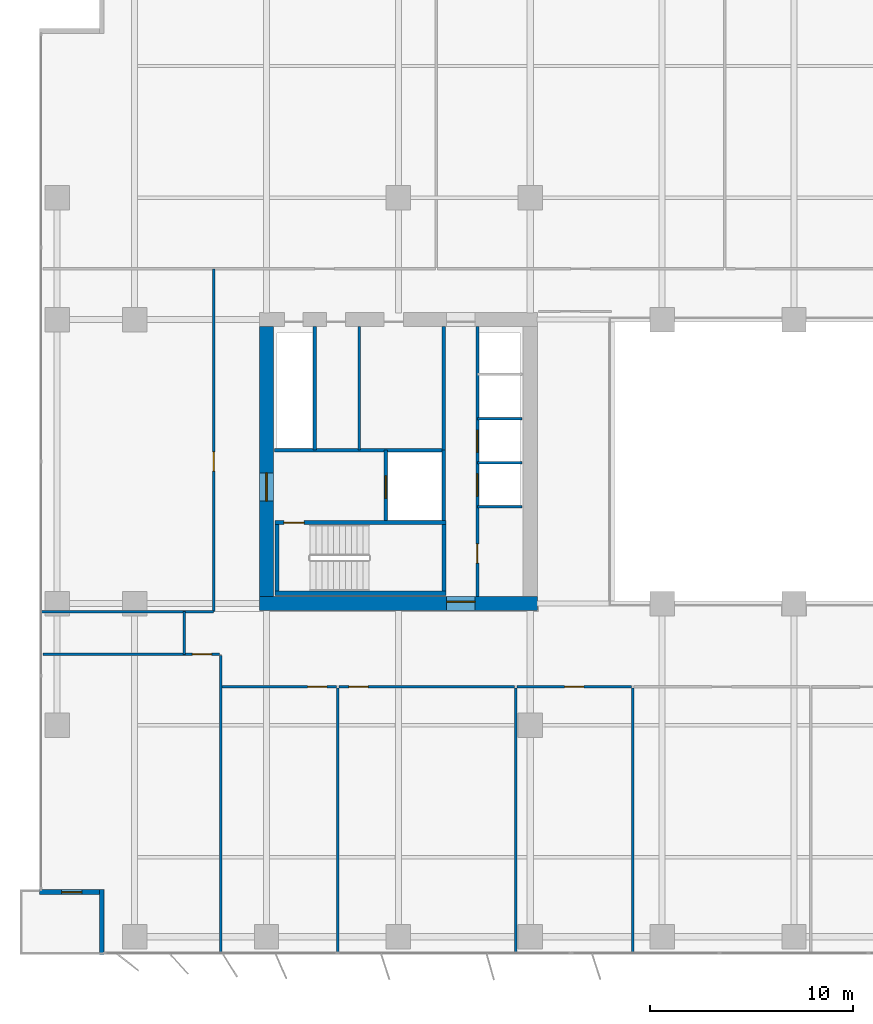
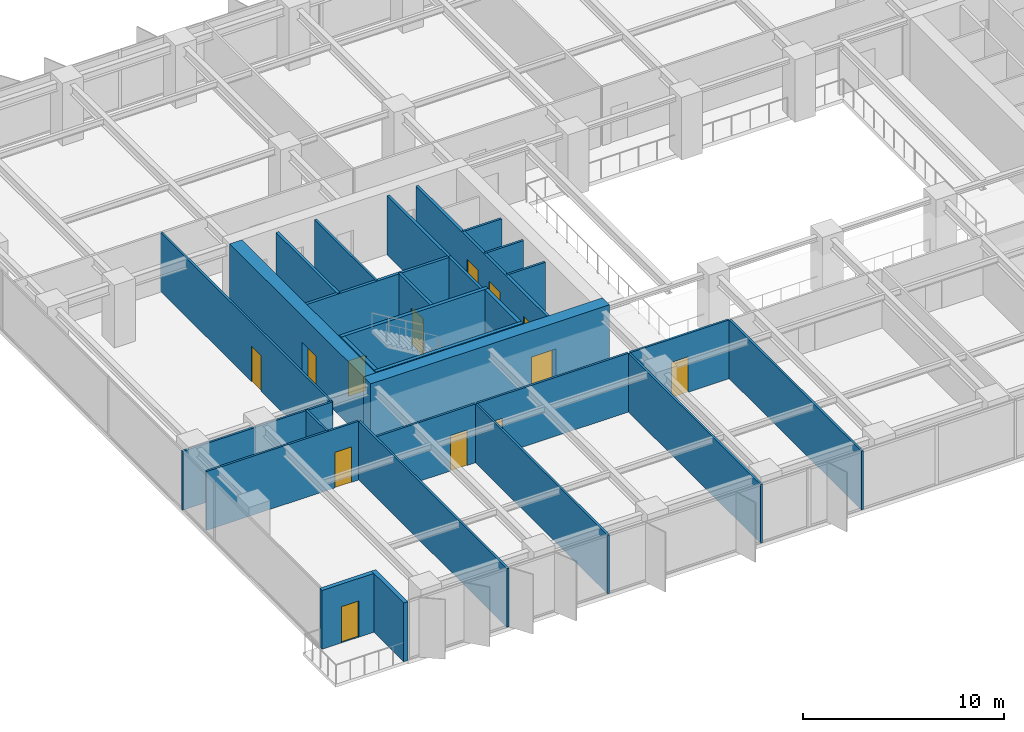
# One storey, part 13 of 20: 29 walls, 13 doors, 13 openings.
"""IFC4 building model written with IfcOpenShell, lengths in metres."""

from ifc_helpers import new_model, si_unit, direction, frame, frame_2d, origin, place, context, subcontext, project, spatial, rectangle, extrude, material, layer, layer_set, type_object, element, fill, save


model = new_model("IFC4")

# Units and contexts
model_context = context("Model", 3, precision=1e-05, world=origin(), true_north=direction((0.0, 1.0)))
body_context = subcontext(model_context, "Body", "Model", "MODEL_VIEW")
ifc_project = project(units=[si_unit("LENGTHUNIT", "METRE"), si_unit("AREAUNIT", "SQUARE_METRE"), si_unit("VOLUMEUNIT", "CUBIC_METRE"), si_unit("PLANEANGLEUNIT", "RADIAN"), si_unit("MASSUNIT", "GRAM", prefix="KILO")], contexts=[model_context])

# Site, building, storey
site_placement = place(None, origin())
site = spatial("IfcSite", under=ifc_project, at=site_placement, CompositionType="ELEMENT")
building_placement = place(site_placement, origin())
building = spatial("IfcBuilding", under=site, at=building_placement, Name="Putna Gate Headquarters", CompositionType="ELEMENT")
storey_placement = place(building_placement, frame((0.0, 0.0, 97.39990234375)))
storey = spatial("IfcBuildingStorey", under=building, at=storey_placement, Name="L23", CompositionType="ELEMENT", Elevation=97.39990234375)

# Wall, opening, door
ifc_material_1 = material(Name="Concrete C60/75", Category="concrete")
ifc_layer_1 = layer(ifc_material_1, 0.699951171875)
ifc_layer_set_1 = layer_set([ifc_layer_1], Name="Concrete C60/75")
wall_type_1 = type_object("IfcWallType", Name="WALL-CORE-700", PredefinedType="SHEAR", material=ifc_layer_set_1)
wall_1_placement = place(storey_placement, frame((12.64990234375, 19.0, 0.0), z_axis=(0.0, 0.0, 1.0), x_axis=(1.0, 0.0, 0.0)))
wall_1 = element("IfcWall", 1, at=wall_1_placement, inside=storey, type_object=wall_type_1, Name="L23 WC Split Core Shear Wall S", PredefinedType="SHEAR", context=body_context, shape_type="SweptSolid", body=[
    extrude(rectangle(XDim=13.7001953125, YDim=0.699951171875, at=frame_2d((6.85009765625, 0.0))), origin(), (0.0, 0.0, 1.0), 3.800048828125),
])
opening_1_placement = place(wall_1_placement, frame((9.22998046875, 0.0, 0.0)))
opening_1 = element("IfcOpeningElement", 2, at=opening_1_placement, cuts=wall_1, Name="Opening FDD-140", PredefinedType="OPENING", context=body_context, shape_type="SweptSolid", body=[
    extrude(rectangle(XDim=1.39990234375, YDim=2.199951171875, at=frame_2d((0.699951171875, 1.10009765625))), frame((0.0, 0.35986328125, 0.0), z_axis=(0.0, -1.0, 0.0), x_axis=(1.0, 0.0, 0.0)), (0.0, 0.0, 1.0), 0.719970703125),
])
ifc_material_2 = material(Name="Double steel fire door", Category="steel")
door_type_1 = type_object("IfcDoorType", Name="DOOR-FIRE-DBL-1400", OperationType="DOUBLE_DOOR_SINGLE_SWING", PredefinedType="DOOR", material=ifc_material_2)
door_1_placement = place(opening_1_placement, origin())
door_1 = element("IfcDoor", 3, at=door_1_placement, inside=storey, type_object=door_type_1, Name="L23 West Lift Lobby South Door", OperationType="DOUBLE_DOOR_SINGLE_SWING", OverallHeight=2.199951171875, OverallWidth=1.39990234375, PredefinedType="DOOR", context=body_context, shape_type="SweptSolid", body=[
    extrude(rectangle(XDim=1.39990234375, YDim=2.199951171875, at=frame_2d((0.699951171875, 1.10009765625))), frame((0.0, 0.125, 0.0), z_axis=(0.0, -1.0, 0.0), x_axis=(1.0, 0.0, 0.0)), (0.0, 0.0, 1.0), 0.050048828125),
])
fill(opening_1, door_1)

wall_2_placement = place(storey_placement, frame((13.0, 19.35009765625, 0.0), z_axis=(0.0, 0.0, 1.0), x_axis=(0.0, 1.0, 0.0)))
wall_2 = element("IfcWall", 4, at=wall_2_placement, inside=storey, type_object=wall_type_1, Name="L23 WC Split Core Shear Wall W", PredefinedType="SHEAR", context=body_context, shape_type="SweptSolid", body=[
    extrude(rectangle(XDim=13.2998046875, YDim=0.699951171875, at=frame_2d((6.64990234375, 0.0))), origin(), (0.0, 0.0, 1.0), 3.800048828125),
])
opening_2_placement = place(wall_2_placement, frame((4.699951171875, 0.0, 0.0)))
opening_2 = element("IfcOpeningElement", 5, at=opening_2_placement, cuts=wall_2, Name="Opening FDD-140", PredefinedType="OPENING", context=body_context, shape_type="SweptSolid", body=[
    extrude(rectangle(XDim=1.39990234375, YDim=2.199951171875, at=frame_2d((0.699951171875, 1.10009765625))), frame((0.0, 0.35986328125, 0.0), z_axis=(0.0, -1.0, 0.0), x_axis=(1.0, 0.0, 0.0)), (0.0, 0.0, 1.0), 0.719970703125),
])
door_2_placement = place(opening_2_placement, origin())
door_2 = element("IfcDoor", 6, at=door_2_placement, inside=storey, type_object=door_type_1, Name="L23 West Firefighting Lobby Door", OperationType="DOUBLE_DOOR_SINGLE_SWING", OverallHeight=2.199951171875, OverallWidth=1.39990234375, PredefinedType="DOOR", context=body_context, shape_type="SweptSolid", body=[
    extrude(rectangle(XDim=1.39990234375, YDim=2.199951171875, at=frame_2d((0.699951171875, 1.10009765625))), frame((0.0, 0.02490234375, 0.0), z_axis=(0.0, -1.0, 0.0), x_axis=(1.0, 0.0, 0.0)), (0.0, 0.0, 1.0), 0.050048828125),
])
fill(opening_2, door_2)

# Wall
ifc_material_3 = material(Name="Precast concrete C40/50", Category="concrete")
ifc_layer_2 = layer(ifc_material_3, 0.239990234375)
ifc_layer_set_2 = layer_set([ifc_layer_2], Name="Precast concrete C40/50")
wall_type_2 = type_object("IfcWallType", Name="WALL-EXT-TERR-240", PredefinedType="STANDARD", material=ifc_layer_set_2)
wall_3_placement = place(storey_placement, frame((4.8798828125, 1.699951171875, 0.0), z_axis=(0.0, 0.0, 1.0), x_axis=(0.0, 1.0, 0.0)))
element("IfcWall", 7, at=wall_3_placement, inside=storey, type_object=wall_type_2, Name="L23 Corner Notch Return Wall SW-V", PredefinedType="STANDARD", context=body_context, shape_type="SweptSolid", body=[
    extrude(rectangle(XDim=3.199951171875, YDim=0.239990234375, at=frame_2d((1.60009765625, 0.0))), origin(), (0.0, 0.0, 1.0), 3.565185546875),
])

# Wall, opening, door
wall_4_placement = place(storey_placement, frame((5.0, 4.780029296875, 0.0), z_axis=(0.0, 0.0, 1.0), x_axis=(-1.0, 0.0, 0.0)))
wall_4 = element("IfcWall", 8, at=wall_4_placement, inside=storey, type_object=wall_type_2, Name="L23 Corner Notch Return Wall SW-H", PredefinedType="STANDARD", context=body_context, shape_type="SweptSolid", body=[
    extrude(rectangle(XDim=3.199951171875, YDim=0.239990234375, at=frame_2d((1.60009765625, 0.0))), origin(), (0.0, 0.0, 1.0), 3.565185546875),
])
opening_3_placement = place(wall_4_placement, frame((1.10009765625, 0.0, 0.0)))
opening_3 = element("IfcOpeningElement", 9, at=opening_3_placement, cuts=wall_4, Name="Opening TRD-1", PredefinedType="OPENING", context=body_context, shape_type="SweptSolid", body=[
    extrude(rectangle(XDim=1.0, YDim=2.199951171875, at=frame_2d((0.5, 1.10009765625))), frame((0.0, 0.1298828125, 0.0), z_axis=(0.0, -1.0, 0.0), x_axis=(1.0, 0.0, 0.0)), (0.0, 0.0, 1.0), 0.260009765625),
])
ifc_material_4 = material(Name="Thermally broken bronze glazed terrace door")
door_type_2 = type_object("IfcDoorType", Name="DOOR-TERR-EXT-1000", OperationType="NOTDEFINED", PredefinedType="DOOR", material=ifc_material_4)
door_3_placement = place(opening_3_placement, origin())
door_3 = element("IfcDoor", 10, at=door_3_placement, inside=storey, type_object=door_type_2, Name="L23 Spiral Sky Terrace Door SW", OperationType="SINGLE_SWING_LEFT", OverallHeight=2.199951171875, OverallWidth=1.0, PredefinedType="DOOR", context=body_context, shape_type="SweptSolid", body=[
    extrude(rectangle(XDim=1.0, YDim=2.199951171875, at=frame_2d((0.5, 1.10009765625))), frame((0.0, 0.02490234375, 0.0), z_axis=(0.0, -1.0, 0.0), x_axis=(1.0, 0.0, 0.0)), (0.0, 0.0, 1.0), 0.050048828125),
])
fill(opening_3, door_3)

# Walls
ifc_material_5 = material(Name="Acoustic gypsum board on metal stud")
ifc_layer_3 = layer(ifc_material_5, 0.1201171875)
ifc_layer_set_3 = layer_set([ifc_layer_3], Name="Acoustic gypsum board on metal stud")
wall_type_3 = type_object("IfcWallType", Name="WALL-PART-120", PredefinedType="PARTITIONING", material=ifc_layer_set_3)
wall_5_placement = place(storey_placement, frame((10.746826171875, 1.719970703125, 0.0), z_axis=(0.0, 0.0, 1.0), x_axis=(0.0, 1.0, 0.0)))
element("IfcWall", 11, at=wall_5_placement, inside=storey, type_object=wall_type_3, Name="L23 Interior Wall PART-L23-SB-DIV-01", PredefinedType="PARTITIONING", context=body_context, shape_type="SweptSolid", body=[
    extrude(rectangle(XDim=14.719970703125, YDim=0.1201171875, at=frame_2d((7.35986328125, 0.0))), origin(), (0.0, 0.0, 1.0), 3.565185546875),
])
for number, where, z_axis, x_axis, name in (
    (12, (16.52001953125, 1.719970703125, 0.0), (0.0, 0.0, 1.0), (0.0, 1.0, 0.0), "L23 Interior Wall PART-L23-SB-DIV-02"),
    (13, (25.286865234375, 1.719970703125, 0.0), (0.0, 0.0, 1.0), (0.0, 1.0, 0.0), "L23 Interior Wall PART-L23-SB-DIV-03"),
    (14, (31.06005859375, 1.719970703125, 0.0), (0.0, 0.0, 1.0), (0.0, 1.0, 0.0), "L23 Interior Wall PART-L23-SB-DIV-04"),
):
    element("IfcWall", number, at=place(storey_placement, frame(where, z_axis=z_axis, x_axis=x_axis)), inside=storey, type_object=wall_type_3, Name=name, PredefinedType="PARTITIONING", context=body_context, shape_type="SweptSolid", body=[
        extrude(rectangle(XDim=13.1201171875, YDim=0.1201171875, at=frame_2d((6.56005859375, 0.0))), origin(), (0.0, 0.0, 1.0), 3.565185546875),
    ])
ifc_material_6 = material(Name="Fire-rated shaftwall gypsum board on metal stud")
ifc_layer_4 = layer(ifc_material_6, 0.1201171875)
ifc_layer_set_4 = layer_set([ifc_layer_4], Name="Fire-rated shaftwall gypsum board on metal stud")
wall_type_4 = type_object("IfcWallType", Name="WALL-PART-120-EI120", PredefinedType="PARTITIONING", material=ifc_layer_set_4)
for number, where, z_axis, x_axis, name in (
    (15, (23.39990234375, 25.949951171875, 0.0), (0.0, 0.0, 1.0), (1.0, 0.0, 0.0), "L23 Interior Wall CWINT-L23-WC-LF05-DIV"),
    (16, (23.39990234375, 28.1201171875, 0.0), (0.0, 0.0, 1.0), (1.0, 0.0, 0.0), "L23 Interior Wall CWINT-L23-WC-LF06-DIV"),
):
    element("IfcWall", number, at=place(storey_placement, frame(where, z_axis=z_axis, x_axis=x_axis)), inside=storey, type_object=wall_type_4, Name=name, PredefinedType="PARTITIONING", context=body_context, shape_type="SweptSolid", body=[
        extrude(rectangle(XDim=2.2001953125, YDim=0.1201171875, at=frame_2d((1.10009765625, 0.0))), origin(), (0.0, 0.0, 1.0), 3.565185546875),
    ])
ifc_material_7 = material(Name="Fire-rated gypsum board on metal stud")
ifc_layer_5 = layer(ifc_material_7, 0.1201171875)
ifc_layer_set_5 = layer_set([ifc_layer_5], Name="Fire-rated gypsum board on metal stud")
wall_type_5 = type_object("IfcWallType", Name="WALL-PART-120-RATED", PredefinedType="PARTITIONING", material=ifc_layer_set_5)
wall_6_placement = place(storey_placement, frame((17.570068359375, 26.56005859375, 0.0), z_axis=(0.0, 0.0, 1.0), x_axis=(0.0, 1.0, 0.0)))
element("IfcWall", 17, at=wall_6_placement, inside=storey, type_object=wall_type_5, Name="L23 Interior Wall CWINT-L23-WC-K1-DIV", PredefinedType="PARTITIONING", context=body_context, shape_type="SweptSolid", body=[
    extrude(rectangle(XDim=6.08984375, YDim=0.1201171875, at=frame_2d((3.044921875, 0.0))), origin(), (0.0, 0.0, 1.0), 3.565185546875),
])
wall_7_placement = place(storey_placement, frame((23.39990234375, 23.780029296875, 0.0), z_axis=(0.0, 0.0, 1.0), x_axis=(1.0, 0.0, 0.0)))
element("IfcWall", 18, at=wall_7_placement, inside=storey, type_object=wall_type_5, Name="L23 Interior Wall CWINT-L23-WC-LF02-DIV", PredefinedType="PARTITIONING", context=body_context, shape_type="SweptSolid", body=[
    extrude(rectangle(XDim=2.2001953125, YDim=0.1201171875, at=frame_2d((1.10009765625, 0.0))), origin(), (0.0, 0.0, 1.0), 3.565185546875),
])
wall_8_placement = place(storey_placement, frame((8.94677734375, 16.5, 0.0), z_axis=(0.0, 0.0, 1.0), x_axis=(0.0, 1.0, 0.0)))
element("IfcWall", 19, at=wall_8_placement, inside=storey, type_object=wall_type_5, Name="L23 Interior Wall PART-L23-CORRS-CAPW", PredefinedType="PARTITIONING", context=body_context, shape_type="SweptSolid", body=[
    extrude(rectangle(XDim=2.10009765625, YDim=0.1201171875, at=frame_2d((1.050048828125, 0.0))), origin(), (0.0, 0.0, 1.0), 3.565185546875),
])

# Wall, opening, door
wall_9_placement = place(storey_placement, frame((1.97998046875, 16.5, 0.0), z_axis=(0.0, 0.0, 1.0), x_axis=(1.0, 0.0, 0.0)))
wall_9 = element("IfcWall", 20, at=wall_9_placement, inside=storey, type_object=wall_type_5, Name="L23 Interior Wall PART-L23-SB-CW-01", PredefinedType="PARTITIONING", context=body_context, shape_type="SweptSolid", body=[
    extrude(rectangle(XDim=8.706787109375, YDim=0.1201171875, at=frame_2d((4.353515625, 0.0))), origin(), (0.0, 0.0, 1.0), 3.565185546875),
])
opening_4_placement = place(wall_9_placement, frame((7.36181640625, 0.0, 0.0)))
opening_4 = element("IfcOpeningElement", 21, at=opening_4_placement, cuts=wall_9, Name="Opening FD-95", PredefinedType="OPENING", context=body_context, shape_type="SweptSolid", body=[
    extrude(rectangle(XDim=0.949951171875, YDim=2.14990234375, at=frame_2d((0.47509765625, 1.074951171875))), frame((0.0, 0.070068359375, 0.0), z_axis=(0.0, -1.0, 0.0), x_axis=(1.0, 0.0, 0.0)), (0.0, 0.0, 1.0), 0.14013671875),
])
ifc_material_8 = material(Name="Acoustic timber fire door", Category="wood")
door_type_3 = type_object("IfcDoorType", Name="DOOR-FIRE-950", OperationType="NOTDEFINED", PredefinedType="DOOR", material=ifc_material_8)
door_4_placement = place(opening_4_placement, origin())
door_4 = element("IfcDoor", 22, at=door_4_placement, inside=storey, type_object=door_type_3, Name="L23 Quiet Wellness Focus Studio 2 Door", OperationType="SINGLE_SWING_LEFT", OverallHeight=2.14990234375, OverallWidth=0.949951171875, PredefinedType="DOOR", context=body_context, shape_type="SweptSolid", body=[
    extrude(rectangle(XDim=0.949951171875, YDim=2.14990234375, at=frame_2d((0.47509765625, 1.074951171875))), frame((0.0, 0.02490234375, 0.0), z_axis=(0.0, -1.0, 0.0), x_axis=(1.0, 0.0, 0.0)), (0.0, 0.0, 1.0), 0.050048828125),
])
fill(opening_4, door_4)

wall_10_placement = place(storey_placement, frame((10.806884765625, 14.89990234375, 0.0), z_axis=(0.0, 0.0, 1.0), x_axis=(1.0, 0.0, 0.0)))
wall_10 = element("IfcWall", 23, at=wall_10_placement, inside=storey, type_object=wall_type_5, Name="L23 Interior Wall PART-L23-SB-CW-02", PredefinedType="PARTITIONING", context=body_context, shape_type="SweptSolid", body=[
    extrude(rectangle(XDim=5.653076171875, YDim=0.1201171875, at=frame_2d((2.82666015625, 0.0))), origin(), (0.0, 0.0, 1.0), 3.565185546875),
])
opening_5_placement = place(wall_10_placement, frame((4.22314453125, 0.0, 0.0)))
opening_5 = element("IfcOpeningElement", 24, at=opening_5_placement, cuts=wall_10, Name="Opening FD-95", PredefinedType="OPENING", context=body_context, shape_type="SweptSolid", body=[
    extrude(rectangle(XDim=0.949951171875, YDim=2.14990234375, at=frame_2d((0.47509765625, 1.074951171875))), frame((0.0, 0.070068359375, 0.0), z_axis=(0.0, -1.0, 0.0), x_axis=(1.0, 0.0, 0.0)), (0.0, 0.0, 1.0), 0.14013671875),
])
door_5_placement = place(opening_5_placement, origin())
door_5 = element("IfcDoor", 25, at=door_5_placement, inside=storey, type_object=door_type_3, Name="L23 Cellular Office 3 Door", OperationType="SINGLE_SWING_RIGHT", OverallHeight=2.14990234375, OverallWidth=0.949951171875, PredefinedType="DOOR", context=body_context, shape_type="SweptSolid", body=[
    extrude(rectangle(XDim=0.949951171875, YDim=2.14990234375, at=frame_2d((0.47509765625, 1.074951171875))), frame((0.0, 0.02490234375, 0.0), z_axis=(0.0, -1.0, 0.0), x_axis=(1.0, 0.0, 0.0)), (0.0, 0.0, 1.0), 0.050048828125),
])
fill(opening_5, door_5)

wall_11_placement = place(storey_placement, frame((16.580078125, 14.89990234375, 0.0), z_axis=(0.0, 0.0, 1.0), x_axis=(1.0, 0.0, 0.0)))
wall_11 = element("IfcWall", 26, at=wall_11_placement, inside=storey, type_object=wall_type_5, Name="L23 Interior Wall PART-L23-SB-CW-03", PredefinedType="PARTITIONING", context=body_context, shape_type="SweptSolid", body=[
    extrude(rectangle(XDim=8.646728515625, YDim=0.1201171875, at=frame_2d((4.3232421875, 0.0))), origin(), (0.0, 0.0, 1.0), 3.565185546875),
])
opening_6_placement = place(wall_11_placement, frame((0.47998046875, 0.0, 0.0)))
opening_6 = element("IfcOpeningElement", 27, at=opening_6_placement, cuts=wall_11, Name="Opening FD-95", PredefinedType="OPENING", context=body_context, shape_type="SweptSolid", body=[
    extrude(rectangle(XDim=0.949951171875, YDim=2.14990234375, at=frame_2d((0.47509765625, 1.074951171875))), frame((0.0, 0.070068359375, 0.0), z_axis=(0.0, -1.0, 0.0), x_axis=(1.0, 0.0, 0.0)), (0.0, 0.0, 1.0), 0.14013671875),
])
door_6_placement = place(opening_6_placement, origin())
door_6 = element("IfcDoor", 28, at=door_6_placement, inside=storey, type_object=door_type_3, Name="L23 Conference Meeting Room 1 Door", OperationType="SINGLE_SWING_LEFT", OverallHeight=2.14990234375, OverallWidth=0.949951171875, PredefinedType="DOOR", context=body_context, shape_type="SweptSolid", body=[
    extrude(rectangle(XDim=0.949951171875, YDim=2.14990234375, at=frame_2d((0.47509765625, 1.074951171875))), frame((0.0, 0.02490234375, 0.0), z_axis=(0.0, -1.0, 0.0), x_axis=(1.0, 0.0, 0.0)), (0.0, 0.0, 1.0), 0.050048828125),
])
fill(opening_6, door_6)

wall_12_placement = place(storey_placement, frame((25.3466796875, 14.89990234375, 0.0), z_axis=(0.0, 0.0, 1.0), x_axis=(1.0, 0.0, 0.0)))
wall_12 = element("IfcWall", 29, at=wall_12_placement, inside=storey, type_object=wall_type_5, Name="L23 Interior Wall PART-L23-SB-CW-04", PredefinedType="PARTITIONING", context=body_context, shape_type="SweptSolid", body=[
    extrude(rectangle(XDim=5.6533203125, YDim=0.1201171875, at=frame_2d((2.82666015625, 0.0))), origin(), (0.0, 0.0, 1.0), 3.565185546875),
])
opening_7_placement = place(wall_12_placement, frame((2.3515625, 0.0, 0.0)))
opening_7 = element("IfcOpeningElement", 30, at=opening_7_placement, cuts=wall_12, Name="Opening FD-95", PredefinedType="OPENING", context=body_context, shape_type="SweptSolid", body=[
    extrude(rectangle(XDim=0.949951171875, YDim=2.14990234375, at=frame_2d((0.47509765625, 1.074951171875))), frame((0.0, 0.070068359375, 0.0), z_axis=(0.0, -1.0, 0.0), x_axis=(1.0, 0.0, 0.0)), (0.0, 0.0, 1.0), 0.14013671875),
])
door_7_placement = place(opening_7_placement, origin())
door_7 = element("IfcDoor", 31, at=door_7_placement, inside=storey, type_object=door_type_3, Name="L23 Conference Meeting Room 2 Door", OperationType="SINGLE_SWING_RIGHT", OverallHeight=2.14990234375, OverallWidth=0.949951171875, PredefinedType="DOOR", context=body_context, shape_type="SweptSolid", body=[
    extrude(rectangle(XDim=0.949951171875, YDim=2.14990234375, at=frame_2d((0.47509765625, 1.074951171875))), frame((0.0, 0.02490234375, 0.0), z_axis=(0.0, -1.0, 0.0), x_axis=(1.0, 0.0, 0.0)), (0.0, 0.0, 1.0), 0.050048828125),
])
fill(opening_7, door_7)

# Wall
wall_13_placement = place(storey_placement, frame((1.820068359375, 18.60009765625, 0.0), z_axis=(0.0, 0.0, 1.0), x_axis=(1.0, 0.0, 0.0)))
element("IfcWall", 32, at=wall_13_placement, inside=storey, type_object=wall_type_5, Name="L23 Interior Wall PART-L23-WW-S-BOUND", PredefinedType="PARTITIONING", context=body_context, shape_type="SweptSolid", body=[
    extrude(rectangle(XDim=8.579833984375, YDim=0.1201171875, at=frame_2d((4.2900390625, 0.0))), origin(), (0.0, 0.0, 1.0), 3.565185546875),
])

# Wall, opening, door
wall_14_placement = place(storey_placement, frame((10.39990234375, 18.60009765625, 0.0), z_axis=(0.0, 0.0, 1.0), x_axis=(0.0, 1.0, 0.0)))
wall_14 = element("IfcWall", 33, at=wall_14_placement, inside=storey, type_object=wall_type_5, Name="L23 Interior Wall PART-L23-WW-CW-1", PredefinedType="PARTITIONING", context=body_context, shape_type="SweptSolid", body=[
    extrude(rectangle(XDim=16.89990234375, YDim=0.1201171875, at=frame_2d((8.449951171875, 0.0))), origin(), (0.0, 0.0, 1.0), 3.565185546875),
])
opening_8_placement = place(wall_14_placement, frame((6.925048828125, 0.0, 0.0)))
opening_8 = element("IfcOpeningElement", 34, at=opening_8_placement, cuts=wall_14, Name="Opening FD-95", PredefinedType="OPENING", context=body_context, shape_type="SweptSolid", body=[
    extrude(rectangle(XDim=0.949951171875, YDim=2.14990234375, at=frame_2d((0.47509765625, 1.074951171875))), frame((0.0, 0.070068359375, 0.0), z_axis=(0.0, -1.0, 0.0), x_axis=(1.0, 0.0, 0.0)), (0.0, 0.0, 1.0), 0.14013671875),
])
door_8_placement = place(opening_8_placement, origin())
door_8 = element("IfcDoor", 35, at=door_8_placement, inside=storey, type_object=door_type_3, Name="L23 West Project Meeting Room 1 Door", OperationType="SINGLE_SWING_LEFT", OverallHeight=2.14990234375, OverallWidth=0.949951171875, PredefinedType="DOOR", context=body_context, shape_type="SweptSolid", body=[
    extrude(rectangle(XDim=0.949951171875, YDim=2.14990234375, at=frame_2d((0.47509765625, 1.074951171875))), frame((0.0, 0.02490234375, 0.0), z_axis=(0.0, -1.0, 0.0), x_axis=(1.0, 0.0, 0.0)), (0.0, 0.0, 1.0), 0.050048828125),
])
fill(opening_8, door_8)

# Wall
ifc_material_9 = material(Name="Concrete C40/50", Category="concrete")
ifc_layer_6 = layer(ifc_material_9, 0.159912109375)
ifc_layer_set_6 = layer_set([ifc_layer_6], Name="Concrete C40/50")
wall_type_6 = type_object("IfcWallType", Name="WALL-SHAFT-160", PredefinedType="STANDARD", material=ifc_layer_set_6)
wall_15_placement = place(storey_placement, frame((21.739990234375, 23.090087890625, 0.0), z_axis=(0.0, 0.0, 1.0), x_axis=(0.0, 1.0, 0.0)))
element("IfcWall", 36, at=wall_15_placement, inside=storey, type_object=wall_type_6, Name="L23 Interior Wall CWINT-L23-WC-FFL-E", PredefinedType="STANDARD", context=body_context, shape_type="SweptSolid", body=[
    extrude(rectangle(XDim=3.469970703125, YDim=0.159912109375, at=frame_2d((1.73486328125, 0.0))), origin(), (0.0, 0.0, 1.0), 3.565185546875),
])

# Wall, opening, door
wall_16_placement = place(storey_placement, frame((18.8798828125, 23.090087890625, 0.0), z_axis=(0.0, 0.0, 1.0), x_axis=(0.0, 1.0, 0.0)))
wall_16 = element("IfcWall", 37, at=wall_16_placement, inside=storey, type_object=wall_type_6, Name="L23 Interior Wall CWINT-L23-WC-LF13-W", PredefinedType="STANDARD", context=body_context, shape_type="SweptSolid", body=[
    extrude(rectangle(XDim=3.469970703125, YDim=0.159912109375, at=frame_2d((1.73486328125, 0.0))), origin(), (0.0, 0.0, 1.0), 3.565185546875),
])
opening_9_placement = place(wall_16_placement, frame((1.10009765625, 0.0, 0.0)))
opening_9 = element("IfcOpeningElement", 38, at=opening_9_placement, cuts=wall_16, Name="Opening LD-1", PredefinedType="OPENING", context=body_context, shape_type="SweptSolid", body=[
    extrude(rectangle(XDim=1.10009765625, YDim=2.199951171875, at=frame_2d((0.550048828125, 1.10009765625))), frame((0.0, 0.08984375, 0.0), z_axis=(0.0, -1.0, 0.0), x_axis=(1.0, 0.0, 0.0)), (0.0, 0.0, 1.0), 0.179931640625),
])
ifc_material_10 = material(Name="Brushed bronze stainless lift landing door")
door_type_4 = type_object("IfcDoorType", Name="DOOR-LIFT-1100", OperationType="DOUBLE_DOOR_SLIDING", PredefinedType="DOOR", material=ifc_material_10)
door_9_placement = place(opening_9_placement, origin())
door_9 = element("IfcDoor", 39, at=door_9_placement, inside=storey, type_object=door_type_4, Name="L23 Lift Landing Door LD-13", OperationType="DOUBLE_DOOR_SLIDING", OverallHeight=2.199951171875, OverallWidth=1.10009765625, PredefinedType="DOOR", context=body_context, shape_type="SweptSolid", body=[
    extrude(rectangle(XDim=1.10009765625, YDim=2.199951171875, at=frame_2d((0.550048828125, 1.10009765625))), frame((0.0, 0.02490234375, 0.0), z_axis=(0.0, -1.0, 0.0), x_axis=(1.0, 0.0, 0.0)), (0.0, 0.0, 1.0), 0.050048828125),
])
fill(opening_9, door_9)

# Walls
wall_17_placement = place(storey_placement, frame((13.39990234375, 26.56005859375, 0.0), z_axis=(0.0, 0.0, 1.0), x_axis=(1.0, 0.0, 0.0)))
element("IfcWall", 40, at=wall_17_placement, inside=storey, type_object=wall_type_6, Name="L23 Interior Wall CWINT-L23-WC-FFL-N", PredefinedType="STANDARD", context=body_context, shape_type="SweptSolid", body=[
    extrude(rectangle(XDim=8.340087890625, YDim=0.159912109375, at=frame_2d((4.169921875, 0.0))), origin(), (0.0, 0.0, 1.0), 3.565185546875),
])
for number, where, z_axis, x_axis, name in (
    (41, (15.3798828125, 26.56005859375, 0.0), (0.0, 0.0, 1.0), (0.0, 1.0, 0.0), "L23 Interior Wall CWINT-L23-WC-RISER-E"),
    (42, (21.739990234375, 26.56005859375, 0.0), (0.0, 0.0, 1.0), (0.0, 1.0, 0.0), "L23 Interior Wall CWINT-L23-WC-LOB-W"),
):
    element("IfcWall", number, at=place(storey_placement, frame(where, z_axis=z_axis, x_axis=x_axis)), inside=storey, type_object=wall_type_6, Name=name, PredefinedType="STANDARD", context=body_context, shape_type="SweptSolid", body=[
        extrude(rectangle(XDim=6.08984375, YDim=0.159912109375, at=frame_2d((3.044921875, 0.0))), origin(), (0.0, 0.0, 1.0), 3.565185546875),
    ])

# Wall, openings, doors
wall_18_placement = place(storey_placement, frame((23.39990234375, 19.35009765625, 0.0), z_axis=(0.0, 0.0, 1.0), x_axis=(0.0, 1.0, 0.0)))
wall_18 = element("IfcWall", 43, at=wall_18_placement, inside=storey, type_object=wall_type_6, Name="L23 Interior Wall CWINT-L23-WC-PL-WALL", PredefinedType="STANDARD", context=body_context, shape_type="SweptSolid", body=[
    extrude(rectangle(XDim=13.2998046875, YDim=0.159912109375, at=frame_2d((6.64990234375, 0.0))), origin(), (0.0, 0.0, 1.0), 3.565185546875),
])
opening_10_placement = place(wall_18_placement, frame((1.64990234375, 0.0, 0.0)))
opening_10 = element("IfcOpeningElement", 44, at=opening_10_placement, cuts=wall_18, Name="Opening IDS-95", PredefinedType="OPENING", context=body_context, shape_type="SweptSolid", body=[
    extrude(rectangle(XDim=0.949951171875, YDim=2.14990234375, at=frame_2d((0.47509765625, 1.074951171875))), frame((0.0, 0.08984375, 0.0), z_axis=(0.0, -1.0, 0.0), x_axis=(1.0, 0.0, 0.0)), (0.0, 0.0, 1.0), 0.179931640625),
])
opening_11_placement = place(wall_18_placement, frame((4.949951171875, 0.0, 0.0)))
opening_11 = element("IfcOpeningElement", 45, at=opening_11_placement, cuts=wall_18, Name="Opening LD-1", PredefinedType="OPENING", context=body_context, shape_type="SweptSolid", body=[
    extrude(rectangle(XDim=1.10009765625, YDim=2.199951171875, at=frame_2d((0.550048828125, 1.10009765625))), frame((0.0, 0.08984375, 0.0), z_axis=(0.0, -1.0, 0.0), x_axis=(1.0, 0.0, 0.0)), (0.0, 0.0, 1.0), 0.179931640625),
])
opening_12_placement = place(wall_18_placement, frame((7.10009765625, 0.0, 0.0)))
opening_12 = element("IfcOpeningElement", 46, at=opening_12_placement, cuts=wall_18, Name="Opening LD-1", PredefinedType="OPENING", context=body_context, shape_type="SweptSolid", body=[
    extrude(rectangle(XDim=1.10009765625, YDim=2.199951171875, at=frame_2d((0.550048828125, 1.10009765625))), frame((0.0, 0.08984375, 0.0), z_axis=(0.0, -1.0, 0.0), x_axis=(1.0, 0.0, 0.0)), (0.0, 0.0, 1.0), 0.179931640625),
])
ifc_material_11 = material(Name="Fire-rated service timber door", Category="wood")
door_type_5 = type_object("IfcDoorType", Name="DOOR-INT-950", OperationType="NOTDEFINED", PredefinedType="DOOR", material=ifc_material_11)
door_10_placement = place(opening_10_placement, origin())
door_10 = element("IfcDoor", 47, at=door_10_placement, inside=storey, type_object=door_type_5, Name="L23 Document Archive Door", OperationType="SINGLE_SWING_LEFT", OverallHeight=2.14990234375, OverallWidth=0.949951171875, PredefinedType="DOOR", context=body_context, shape_type="SweptSolid", body=[
    extrude(rectangle(XDim=0.949951171875, YDim=2.14990234375, at=frame_2d((0.47509765625, 1.074951171875))), frame((0.0, 0.02490234375, 0.0), z_axis=(0.0, -1.0, 0.0), x_axis=(1.0, 0.0, 0.0)), (0.0, 0.0, 1.0), 0.050048828125),
])
fill(opening_10, door_10)
door_11_placement = place(opening_11_placement, origin())
door_11 = element("IfcDoor", 48, at=door_11_placement, inside=storey, type_object=door_type_4, Name="L23 Lift Landing Door LD-05", OperationType="DOUBLE_DOOR_SLIDING", OverallHeight=2.199951171875, OverallWidth=1.10009765625, PredefinedType="DOOR", context=body_context, shape_type="SweptSolid", body=[
    extrude(rectangle(XDim=1.10009765625, YDim=2.199951171875, at=frame_2d((0.550048828125, 1.10009765625))), frame((0.0, 0.02490234375, 0.0), z_axis=(0.0, -1.0, 0.0), x_axis=(1.0, 0.0, 0.0)), (0.0, 0.0, 1.0), 0.050048828125),
])
fill(opening_11, door_11)
door_12_placement = place(opening_12_placement, origin())
door_12 = element("IfcDoor", 49, at=door_12_placement, inside=storey, type_object=door_type_4, Name="L23 Lift Landing Door LD-06", OperationType="DOUBLE_DOOR_SLIDING", OverallHeight=2.199951171875, OverallWidth=1.10009765625, PredefinedType="DOOR", context=body_context, shape_type="SweptSolid", body=[
    extrude(rectangle(XDim=1.10009765625, YDim=2.199951171875, at=frame_2d((0.550048828125, 1.10009765625))), frame((0.0, 0.02490234375, 0.0), z_axis=(0.0, -1.0, 0.0), x_axis=(1.0, 0.0, 0.0)), (0.0, 0.0, 1.0), 0.050048828125),
])
fill(opening_12, door_12)

# Wall
ifc_layer_7 = layer(ifc_material_9, 0.199951171875)
ifc_layer_set_7 = layer_set([ifc_layer_7], Name="Concrete C40/50")
wall_type_7 = type_object("IfcWallType", Name="WALL-SHAFT-RC200", PredefinedType="SHEAR", material=ifc_layer_set_7)
wall_19_placement = place(storey_placement, frame((13.409912109375, 19.510009765625, 0.0), z_axis=(0.0, 0.0, 1.0), x_axis=(1.0, 0.0, 0.0)))
element("IfcWall", 50, at=wall_19_placement, inside=storey, type_object=wall_type_7, Name="L23 Stair ST1 Structural Shaft Wall S", PredefinedType="SHEAR", context=body_context, shape_type="SweptSolid", body=[
    extrude(rectangle(XDim=8.43017578125, YDim=0.199951171875, at=frame_2d((4.215087890625, 0.0))), origin(), (0.0, 0.0, 1.0), 3.800048828125),
])

# Wall, opening, door
wall_20_placement = place(storey_placement, frame((13.409912109375, 22.989990234375, 0.0), z_axis=(0.0, 0.0, 1.0), x_axis=(1.0, 0.0, 0.0)))
wall_20 = element("IfcWall", 51, at=wall_20_placement, inside=storey, type_object=wall_type_7, Name="L23 Stair ST1 Structural Shaft Wall N", PredefinedType="SHEAR", context=body_context, shape_type="SweptSolid", body=[
    extrude(rectangle(XDim=8.43017578125, YDim=0.199951171875, at=frame_2d((4.215087890625, 0.0))), origin(), (0.0, 0.0, 1.0), 3.800048828125),
])
opening_13_placement = place(wall_20_placement, frame((0.449951171875, 0.0, 0.0)))
opening_13 = element("IfcOpeningElement", 52, at=opening_13_placement, cuts=wall_20, Name="Opening FD-100", PredefinedType="OPENING", context=body_context, shape_type="SweptSolid", body=[
    extrude(rectangle(XDim=1.0, YDim=2.14990234375, at=frame_2d((0.5, 1.074951171875))), frame((0.0, 0.10986328125, 0.0), z_axis=(0.0, -1.0, 0.0), x_axis=(1.0, 0.0, 0.0)), (0.0, 0.0, 1.0), 0.219970703125),
])
ifc_material_12 = material(Name="Powder-coated steel fire door", Category="steel")
door_type_6 = type_object("IfcDoorType", Name="DOOR-FIRE-1000", OperationType="NOTDEFINED", PredefinedType="DOOR", material=ifc_material_12)
door_13_placement = place(opening_13_placement, origin())
door_13 = element("IfcDoor", 53, at=door_13_placement, inside=storey, type_object=door_type_6, Name="L23 Stair ST1 Fire Door", OperationType="SINGLE_SWING_LEFT", OverallHeight=2.14990234375, OverallWidth=1.0, PredefinedType="DOOR", context=body_context, shape_type="SweptSolid", body=[
    extrude(rectangle(XDim=1.0, YDim=2.14990234375, at=frame_2d((0.5, 1.074951171875))), frame((0.0, 0.02490234375, 0.0), z_axis=(0.0, -1.0, 0.0), x_axis=(1.0, 0.0, 0.0)), (0.0, 0.0, 1.0), 0.050048828125),
])
fill(opening_13, door_13)

# Walls
for number, where, z_axis, x_axis, name in (
    (54, (13.510009765625, 19.610107421875, 0.0), (0.0, 0.0, 1.0), (0.0, 1.0, 0.0), "L23 Stair ST1 Structural Shaft Wall W"),
    (55, (21.739990234375, 19.610107421875, 0.0), (0.0, 0.0, 1.0), (0.0, 1.0, 0.0), "L23 Stair ST1 Structural Shaft Wall E"),
):
    element("IfcWall", number, at=place(storey_placement, frame(where, z_axis=z_axis, x_axis=x_axis)), inside=storey, type_object=wall_type_7, Name=name, PredefinedType="SHEAR", context=body_context, shape_type="SweptSolid", body=[
        extrude(rectangle(XDim=3.27978515625, YDim=0.199951171875, at=frame_2d((1.639892578125, 0.0))), origin(), (0.0, 0.0, 1.0), 3.800048828125),
    ])

save(model, "model.ifc")
